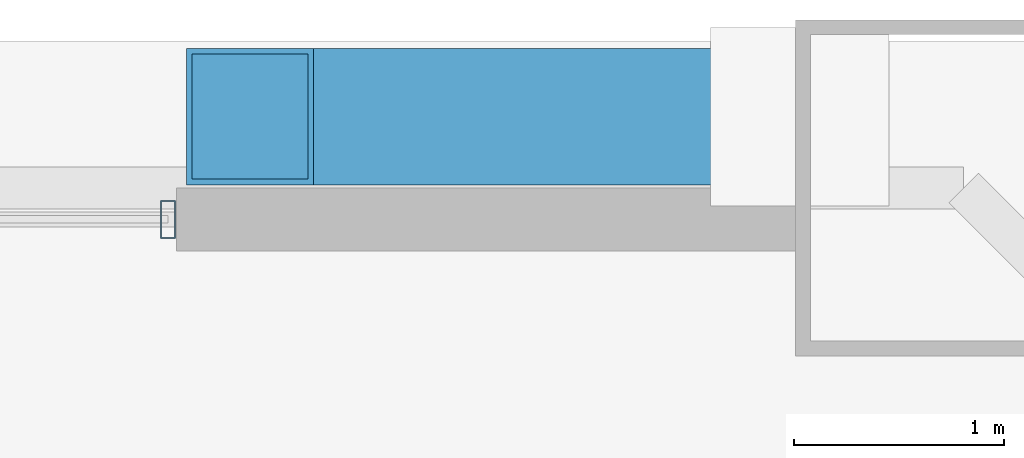
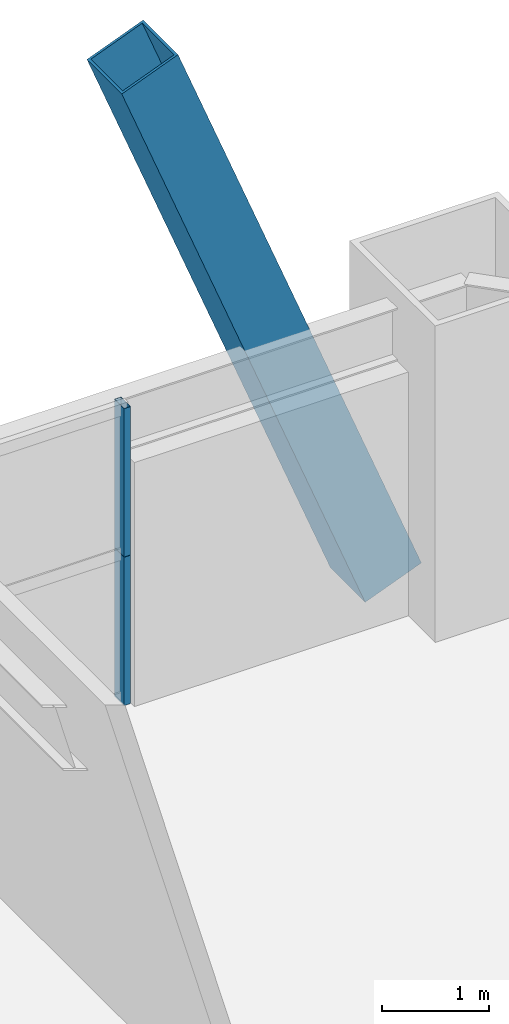
# One storey, part 35 of 41: 3 members, 1 element without a shape of its own.
"""IFC4 building model written with IfcOpenShell, lengths in metres."""

from ifc_helpers import new_model, si_unit, direction, frame, origin, origin_2d, place, context, subcontext, project, spatial, hollow_rectangle, extrude, source, transform, mapped, material, layer, layer_set, material_profile, profile_set, type_object, element, aggregate, save


model = new_model("IFC4")

# Units and contexts
model_context = context("Model", 3, precision=1e-05, world=origin(), true_north=direction((0.0, 1.0)))
body_context = subcontext(model_context, "Body", "Model", "MODEL_VIEW")
ifc_project = project(units=[si_unit("LENGTHUNIT", "METRE"), si_unit("AREAUNIT", "SQUARE_METRE"), si_unit("VOLUMEUNIT", "CUBIC_METRE"), si_unit("PLANEANGLEUNIT", "RADIAN"), si_unit("MASSUNIT", "GRAM", prefix="KILO"), si_unit("THERMODYNAMICTEMPERATUREUNIT", "KELVIN"), si_unit("POWERUNIT", "WATT")], contexts=[model_context])

# Site, building, storey
site_placement = place(None, origin())
site = spatial("IfcSite", under=ifc_project, at=site_placement, CompositionType="ELEMENT")
building_placement = place(site_placement, origin())
building = spatial("IfcBuilding", under=site, at=building_placement, Name="Yuzanri Waterfront Tower", CompositionType="ELEMENT")
storey_placement = place(building_placement, frame((0.0, 0.0, 122.60009765625)))
storey = spatial("IfcBuildingStorey", under=building, at=storey_placement, Name="L32", CompositionType="ELEMENT", Elevation=122.60009765625)

# Member
ifc_material_1 = material(Name="Steel Q420GJC", Category="steel")
ifc_material_profile_1 = material_profile(ifc_material_1, hollow_rectangle(XDim=0.64990234375, YDim=0.64990234375, WallThickness=0.028076171875, at=origin_2d()), Name="RHS 650x650x28")
ifc_profile_set_1 = profile_set([ifc_material_profile_1], Name="Steel Q420GJC")
member_type_1 = type_object("IfcMemberType", Name="Mega Brace Lower Q420GJC RHS 650x650x28", PredefinedType="BRACE", material=ifc_profile_set_1)
shared_shape_1 = source(origin(), body_context, "Body", "SweptSolid", [
    extrude(hollow_rectangle(XDim=0.64990234375, YDim=0.64990234375, WallThickness=0.028076171875, at=origin_2d()), origin(), (0.0, 0.0, 1.0), 7.19384765625),
])
member_1_placement = place(storey_placement, frame((56.219970703125, 49.739990234375, 0.179931640625), z_axis=(-0.36417668996, 0.0, 0.9313298763), x_axis=(0.0, -1.0, 0.0)))
element("IfcMember", 1, at=member_1_placement, inside=storey, type_object=member_type_1, Name="L32-L33 Perimeter Mega-Brace N-R", PredefinedType="BRACE", context=body_context, shape_type="MappedRepresentation", body=[
    mapped(shared_shape_1, transform((0.0, 0.0, 0.0), scale=1.0)),
])

# Curtain wall, members
ifc_material_2 = material(Name="Anodized Architectural Bronze", Category="metal")
ifc_layer = layer(ifc_material_2, 0.159912109375)
ifc_layer_set = layer_set([ifc_layer], Name="Anodized Architectural Bronze")
curtain_wall_type = type_object("IfcCurtainWallType", Name="Anodized Bronze Hotel Upper-Tier Solar-Control Unitized Curtain Wall 7800", PredefinedType="NOTDEFINED", material=ifc_layer_set)
curtain_wall_placement = place(storey_placement, origin())
curtain_wall = element("IfcCurtainWall", 2, at=curtain_wall_placement, inside=storey, type_object=curtain_wall_type, Name="L32 Curtain Wall CW-L32-NR", PredefinedType="NOTDEFINED")
ifc_material_3 = material(Name="Anodized Architectural Bronze", Category="metal")
ifc_material_profile_2 = material_profile(ifc_material_3, hollow_rectangle(XDim=0.070068359375, YDim=0.179931640625, WallThickness=0.00390625, at=origin_2d()), Name="CWM 70x180")
ifc_profile_set_2 = profile_set([ifc_material_profile_2], Name="Anodized Architectural Bronze")
member_type_2 = type_object("IfcMemberType", Name="Anodized Bronze Standard Curtain-Wall Mullion 70x180", PredefinedType="MULLION", material=ifc_profile_set_2)
shared_shape_2 = source(origin(), body_context, "Body", "SweptSolid", [
    extrude(hollow_rectangle(XDim=0.070068359375, YDim=0.179931640625, WallThickness=0.00390625, at=origin_2d()), origin(), (0.0, 0.0, 1.0), 1.68798828125),
])
member_2_placement = place(storey_placement, frame((53.2099609375, 49.25, 0.0), z_axis=(0.0, 0.0, 1.0), x_axis=(1.0, 0.0, 0.0)))
member_2 = element("IfcMember", 3, at=member_2_placement, type_object=member_type_2, Name="CW-L32-NR Lower Mullion 02", PredefinedType="MULLION", context=body_context, shape_type="MappedRepresentation", body=[
    mapped(shared_shape_2, transform((0.0, 0.0, 0.0), scale=1.0)),
])
member_3_placement = place(storey_placement, frame((53.2099609375, 49.25, 1.69189453125), z_axis=(0.0, 0.0, 1.0), x_axis=(1.0, 0.0, 0.0)))
member_3 = element("IfcMember", 4, at=member_3_placement, type_object=member_type_2, Name="CW-L32-NR Upper Mullion 02", PredefinedType="MULLION", context=body_context, shape_type="MappedRepresentation", body=[
    mapped(shared_shape_2, transform((0.0, 0.0, 0.0), scale=1.0)),
])
aggregate(curtain_wall, [member_2, member_3])

save(model, "model.ifc")
